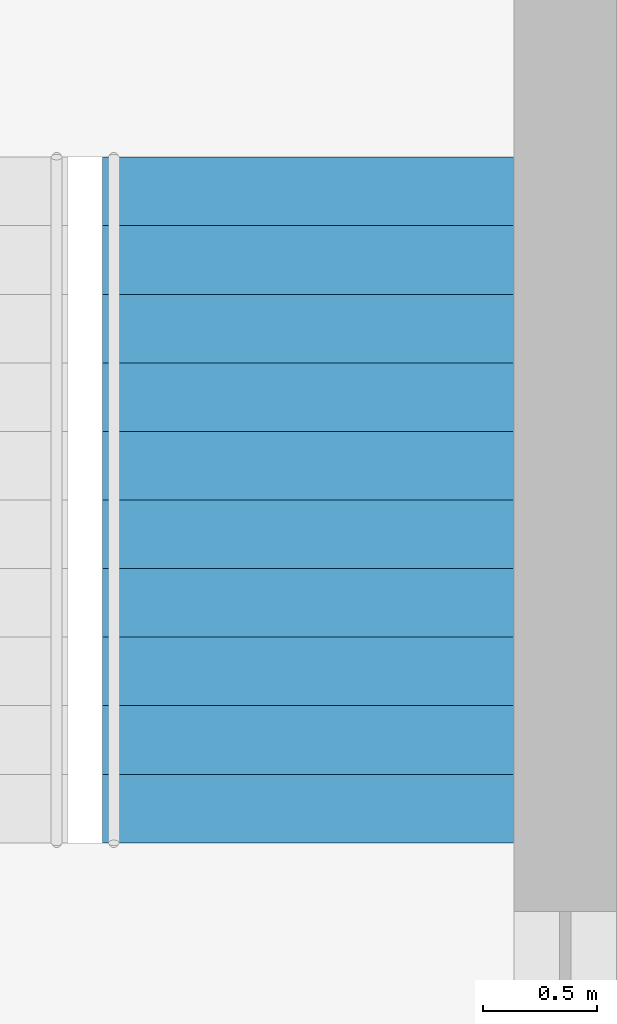
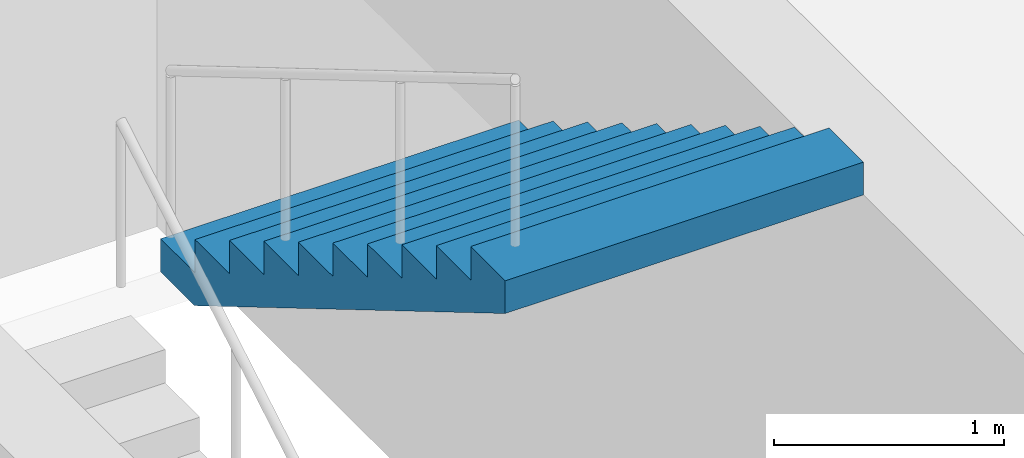
# One storey, part 12 of 13: 1 stair flight, 1 element without a shape of its own.
"""IFC4 building model written with IfcOpenShell, lengths in metres."""

from ifc_helpers import new_model, si_unit, direction, frame, origin, place, context, subcontext, project, spatial, polyline, outline, extrude, material, type_object, element, aggregate, save


model = new_model("IFC4")

# Units and contexts
model_context = context("Model", 3, precision=1e-05, world=origin(), true_north=direction((0.0, 1.0)))
body_context = subcontext(model_context, "Body", "Model", "MODEL_VIEW")
ifc_project = project(units=[si_unit("LENGTHUNIT", "METRE"), si_unit("AREAUNIT", "SQUARE_METRE"), si_unit("VOLUMEUNIT", "CUBIC_METRE"), si_unit("PLANEANGLEUNIT", "RADIAN"), si_unit("MASSUNIT", "GRAM", prefix="KILO")], contexts=[model_context])

# Site, building, storey
site_placement = place(None, origin())
site = spatial("IfcSite", under=ifc_project, at=site_placement, CompositionType="ELEMENT")
building_placement = place(site_placement, origin())
building = spatial("IfcBuilding", under=site, at=building_placement, Name="Dunama Terrace Hotel", CompositionType="ELEMENT")
storey_placement = place(building_placement, frame((0.0, 0.0, 276.300048828125)))
storey = spatial("IfcBuildingStorey", under=building, at=storey_placement, Name="L71", CompositionType="ELEMENT", Elevation=276.300048828125)

# Stair, stair flight
ifc_material_1 = material(Name="Concrete C40/50", Category="concrete")
stair_type = type_object("IfcStairType", Name="Stair ST1-3900-1800", PredefinedType="HALF_TURN_STAIR", material=ifc_material_1)
stair_placement = place(storey_placement, origin())
stair = element("IfcStair", 1, at=stair_placement, inside=storey, type_object=stair_type, Name="Stair ST1 L71", PredefinedType="HALF_TURN_STAIR")
ifc_material_2 = material(Name="Concrete C40/50", Category="concrete")
stair_flight_type = type_object("IfcStairFlightType", Name="Stair flight ST1-3900-1800", PredefinedType="STRAIGHT", material=ifc_material_2)
stair_flight_placement = place(storey_placement, frame((28.27490234375, 38.625, 1.949951171875), z_axis=(0.0, 0.0, 1.0), x_axis=(0.0, -1.0, 0.0)))
stair_flight = element("IfcStairFlight", 2, at=stair_flight_placement, type_object=stair_flight_type, Name="ST1 flight 2", NumberOfRisers=11, NumberOfTreads=10, PredefinedType="STRAIGHT", RiserHeight=0.177272727, TreadLength=0.3, context=body_context, shape_type="SweptSolid", body=[
    extrude(outline(polyline([(0.0, 0.0), (0.0, 0.17724609375), (0.300048828125, 0.17724609375), (0.300048828125, 0.3544921875), (0.60009765625, 0.3544921875), (0.60009765625, 0.53173828125), (0.89990234375, 0.53173828125), (0.89990234375, 0.708984375), (1.199951171875, 0.708984375), (1.199951171875, 0.886474609375), (1.5, 0.886474609375), (1.5, 1.063720703125), (1.800048828125, 1.063720703125), (1.800048828125, 1.240966796875), (2.10009765625, 1.240966796875), (2.10009765625, 1.418212890625), (2.39990234375, 1.418212890625), (2.39990234375, 1.595458984375), (2.699951171875, 1.595458984375), (2.699951171875, 1.772705078125), (3.0, 1.772705078125), (3.0, 1.949951171875), (3.0, 1.5986328125), (0.294677734375, 0.0), (0.0, 0.0)])), frame((0.0, 0.89990234375, 0.0), z_axis=(0.0, -1.0, 0.0), x_axis=(1.0, 0.0, 0.0)), (0.0, 0.0, 1.0), 1.800048828125),
])
aggregate(stair, [stair_flight])

save(model, "model.ifc")
